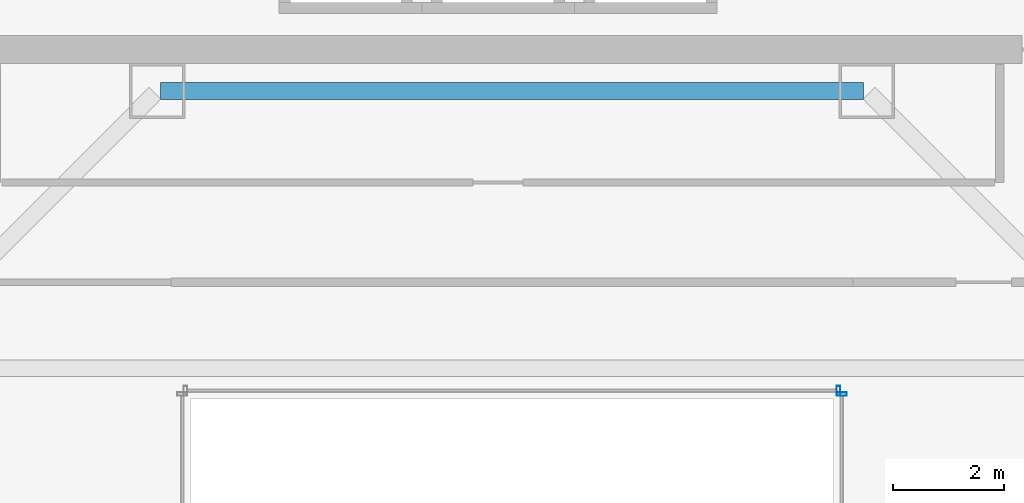
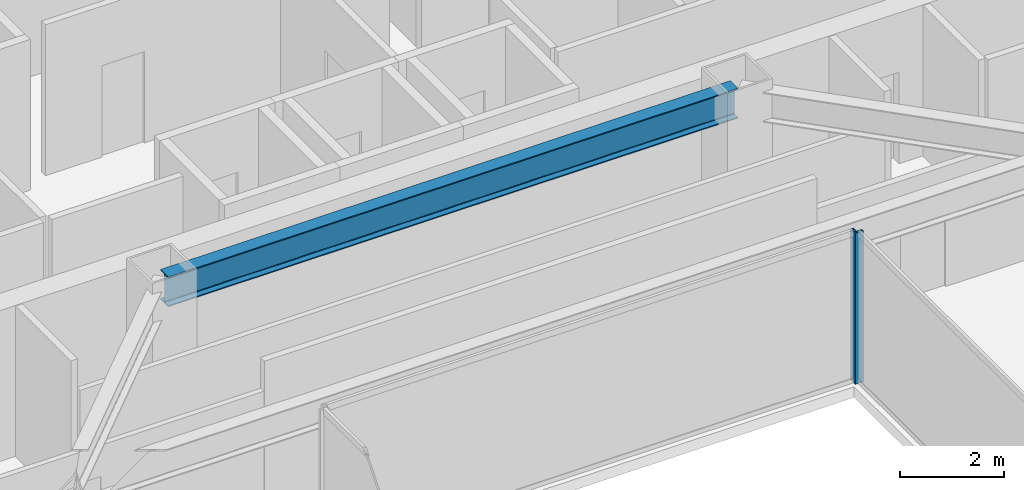
# One storey, part 14 of 35: 2 members, 1 beam, 2 elements without a shape of their own.
"""IFC4 building model written with IfcOpenShell, lengths in metres."""

from ifc_helpers import new_model, si_unit, direction, frame, origin, origin_2d, place, context, subcontext, project, spatial, hollow_rectangle, i_section, extrude, material, material_profile, profile_set, type_object, element, aggregate, save


model = new_model("IFC4")

# Units and contexts
model_context = context("Model", 3, precision=1e-05, world=origin(), true_north=direction((0.0, 1.0)))
body_context = subcontext(model_context, "Body", "Model", "MODEL_VIEW")
ifc_project = project(units=[si_unit("LENGTHUNIT", "METRE"), si_unit("AREAUNIT", "SQUARE_METRE"), si_unit("VOLUMEUNIT", "CUBIC_METRE"), si_unit("PLANEANGLEUNIT", "RADIAN"), si_unit("MASSUNIT", "GRAM", prefix="KILO")], contexts=[model_context])

# Site, building, storey
site_placement = place(None, origin())
site = spatial("IfcSite", under=ifc_project, at=site_placement, CompositionType="ELEMENT")
building_placement = place(site_placement, origin())
building = spatial("IfcBuilding", under=site, at=building_placement, Name="Saevonmaru Cultural Tower", CompositionType="ELEMENT")
storey_placement = place(building_placement, frame((0.0, 0.0, 175.199951171875)))
storey = spatial("IfcBuildingStorey", under=building, at=storey_placement, Name="L39", CompositionType="ELEMENT", Elevation=175.199951171875)

# Beam
ifc_material_1 = material(Name="Steel SM355", Category="steel")
ifc_material_profile_1 = material_profile(ifc_material_1, i_section(OverallWidth=0.300048828125, OverallDepth=0.699951171875, WebThickness=0.012939453125, FlangeThickness=0.02392578125, FilletRadius=0.02587890625, at=origin_2d()), Name="H-700x300x13x24")
ifc_profile_set_1 = profile_set([ifc_material_profile_1], Name="Steel SM355")
beam_type = type_object("IfcBeamType", Name="BM-G-H700", PredefinedType="BEAM", material=ifc_profile_set_1)
beam_placement = place(storey_placement, frame((23.659912109375, 42.39990234375, 3.199951171875), z_axis=(1.0, 0.0, 0.0), x_axis=(0.0, 1.0, 0.0)))
element("IfcBeam", 1, at=beam_placement, inside=storey, type_object=beam_type, Name="L39 Core South Girder 3", PredefinedType="BEAM", context=body_context, shape_type="SweptSolid", body=[
    extrude(i_section(OverallWidth=0.300048828125, OverallDepth=0.699951171875, WebThickness=0.012939453125, FlangeThickness=0.02392578125, FilletRadius=0.02587890625, at=origin_2d()), origin(), (0.0, 0.0, 1.0), 12.68017578125),
])

# Curtain wall, member
ifc_material_2 = material(Name="Satin Bronze Anodised Aluminium", Category="aluminium")
curtain_wall_type = type_object("IfcCurtainWallType", Name="CW-ATR-GLZ", PredefinedType="NOTDEFINED", material=ifc_material_2)
curtain_wall_1_placement = place(storey_placement, origin())
curtain_wall_1 = element("IfcCurtainWall", 2, at=curtain_wall_1_placement, inside=storey, type_object=curtain_wall_type, Name="L39 Vertical Atrium Glazed Smoke Screen 2", PredefinedType="NOTDEFINED")
ifc_material_profile_2 = material_profile(ifc_material_2, hollow_rectangle(XDim=0.06494140625, YDim=0.179931640625, WallThickness=0.00390625, at=origin_2d()), Name="ALU-MULL-180x65x4")
ifc_profile_set_2 = profile_set([ifc_material_profile_2], Name="Satin Bronze Anodised Aluminium")
member_type = type_object("IfcMemberType", Name="ML-CW-INT-180x65", PredefinedType="MULLION", material=ifc_profile_set_2)
member_1_placement = place(storey_placement, frame((35.949951171875, 36.929931640625, 0.0), z_axis=(0.0, 0.0, 1.0), x_axis=(0.0, 1.0, 0.0)))
member_1 = element("IfcMember", 3, at=member_1_placement, type_object=member_type, Name="CW-ATR-L39-2 mullion 2", PredefinedType="MULLION", context=body_context, shape_type="SweptSolid", body=[
    extrude(hollow_rectangle(XDim=0.06494140625, YDim=0.179931640625, WallThickness=0.00390625, at=origin_2d()), origin(), (0.0, 0.0, 1.0), 3.550048828125),
])
aggregate(curtain_wall_1, [member_1])

curtain_wall_2_placement = place(storey_placement, origin())
curtain_wall_2 = element("IfcCurtainWall", 4, at=curtain_wall_2_placement, inside=storey, type_object=curtain_wall_type, Name="L39 Vertical Atrium Glazed Smoke Screen 3", PredefinedType="NOTDEFINED")
member_2_placement = place(storey_placement, frame((35.889892578125, 36.989990234375, 0.0), z_axis=(0.0, 0.0, 1.0), x_axis=(-1.0, 0.0, 0.0)))
member_2 = element("IfcMember", 5, at=member_2_placement, type_object=member_type, Name="CW-ATR-L39-3 mullion 1", PredefinedType="MULLION", context=body_context, shape_type="SweptSolid", body=[
    extrude(hollow_rectangle(XDim=0.06494140625, YDim=0.179931640625, WallThickness=0.00390625, at=origin_2d()), origin(), (0.0, 0.0, 1.0), 3.550048828125),
])
aggregate(curtain_wall_2, [member_2])

save(model, "model.ifc")
